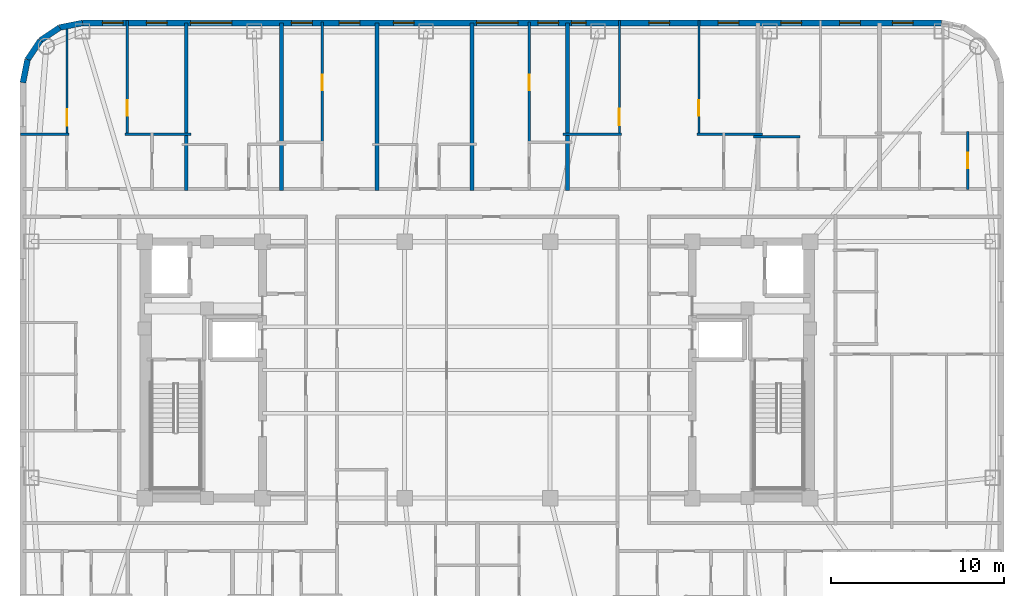
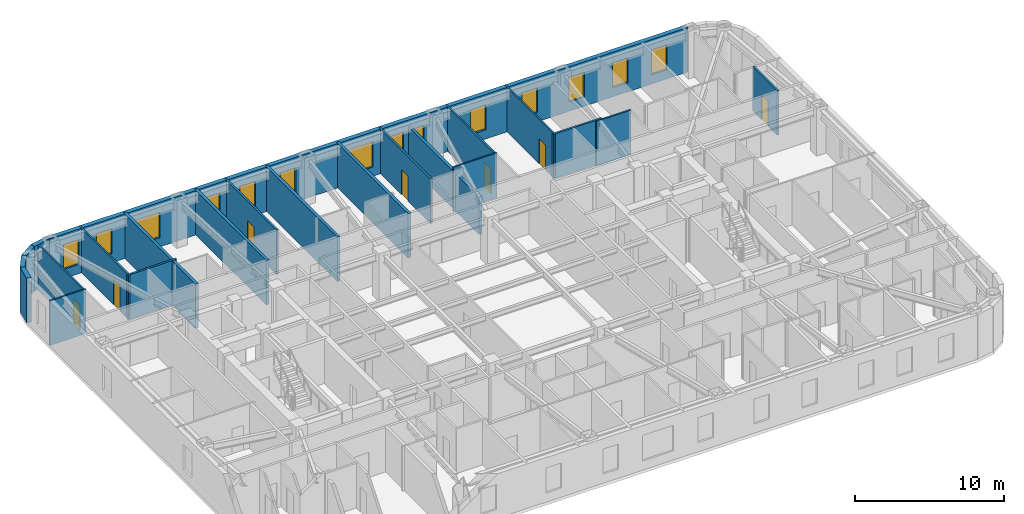
# One storey, part 8 of 11: 22 walls, 14 windows, 7 doors, 21 openings.
"""IFC4 building model written with IfcOpenShell, lengths in metres."""

import ifcopenshell
import ifcopenshell.guid

model = None  # the IFC model being written
_history = None  # IfcOwnerHistory: only IFC2X3 demands one
_inside = {}  # id of a spatial element -> (the spatial element, [elements in it])
_under = {}  # id of a project, library or spatial element -> (it, [spatial elements below it])
_declared = {}  # id of a project -> (the project, [libraries it declares])
_typed = {}  # id of a type object -> (the type object, [elements of that type])
_made_of = {}  # id of a material, layer set ... -> (it, [elements and type objects made of it])


def new_model(schema):
    """Start an empty IFC model of exactly this schema.

    Asked for "IFC4X3", IfcOpenShell would pick the latest addendum, in which some entities
    have other attributes; the version numbers below select the first issue.
    IFC2X3 requires an IfcOwnerHistory on every rooted entity: one is made here for all.
    """
    global model, _history
    if schema == "IFC4X3":
        model = ifcopenshell.file(schema_version=(4, 3, 0, 0))
    else:
        model = ifcopenshell.file(schema=schema)
    _inside.clear()
    _under.clear()
    _declared.clear()
    _typed.clear()
    _made_of.clear()
    _history = None
    if model.schema == "IFC2X3":
        org = make("IfcOrganization", Name="unknown")
        user = make(
            "IfcPersonAndOrganization",
            ThePerson=make("IfcPerson", FamilyName="unknown"),
            TheOrganization=org,
        )
        app = make(
            "IfcApplication",
            ApplicationDeveloper=org,
            Version="unknown",
            ApplicationFullName="unknown",
            ApplicationIdentifier="unknown",
        )
        _history = make(
            "IfcOwnerHistory",
            OwningUser=user,
            OwningApplication=app,
            ChangeAction="ADDED",
            CreationDate=0,
        )
    return model


def make(cls, **values):
    """One entity of the class cls with the attributes given. An attribute that is None is left unset."""
    return model.create_entity(
        cls, **{name: value for name, value in values.items() if value is not None}
    )


def rooted(cls, **values):
    """An entity with a GlobalId (a new one), such as an element, a storey or a relation."""
    return make(cls, GlobalId=ifcopenshell.guid.new(), OwnerHistory=_history, **values)


def si_unit(unit_type, name, prefix=None):
    """IfcSIUnit, for example si_unit("LENGTHUNIT", "METRE", prefix="MILLI")."""
    return make("IfcSIUnit", UnitType=unit_type, Prefix=prefix, Name=name)


def assignment(units):
    """IfcUnitAssignment: the units of a project."""
    return None if units is None else make("IfcUnitAssignment", Units=units)


def point(xyz):
    """IfcCartesianPoint."""
    return None if xyz is None else make("IfcCartesianPoint", Coordinates=xyz)


def direction(xyz):
    """IfcDirection."""
    return None if xyz is None else make("IfcDirection", DirectionRatios=xyz)


def frame(location, z_axis=None, x_axis=None):
    """IfcAxis2Placement3D, a coordinate frame: its origin and axes. An axis left out is left unset."""
    return make(
        "IfcAxis2Placement3D",
        Location=point(location),
        Axis=direction(z_axis),
        RefDirection=direction(x_axis),
    )


def frame_2d(location, x_axis=None):
    """IfcAxis2Placement2D, a coordinate frame in the plane: its origin and x axis."""
    return make(
        "IfcAxis2Placement2D", Location=point(location), RefDirection=direction(x_axis)
    )


def origin():
    """The frame at (0, 0, 0) with its axes left unset."""
    return frame((0.0, 0.0, 0.0))


def place(relative_to, where):
    """IfcLocalPlacement: puts the frame where relative to a parent placement (None: the world)."""
    return make(
        "IfcLocalPlacement", PlacementRelTo=relative_to, RelativePlacement=where
    )


def context(
    kind, dimensions, precision=None, world=None, true_north=None, identifier=None
):
    """IfcGeometricRepresentationContext, for example the 3D "Model" context."""
    return make(
        "IfcGeometricRepresentationContext",
        ContextIdentifier=identifier,
        ContextType=kind,
        CoordinateSpaceDimension=dimensions,
        Precision=precision,
        WorldCoordinateSystem=world,
        TrueNorth=true_north,
    )


def subcontext(parent, identifier, kind, view, scale=None):
    """IfcGeometricRepresentationSubContext, for example "Body" below "Model"."""
    return make(
        "IfcGeometricRepresentationSubContext",
        ContextIdentifier=identifier,
        ContextType=kind,
        ParentContext=parent,
        TargetScale=scale,
        TargetView=view,
    )


def project(units=None, contexts=None):
    """IfcProject with its units and contexts."""
    return rooted(
        "IfcProject",
        Name="project",
        RepresentationContexts=contexts,
        UnitsInContext=assignment(units),
    )


def spatial(cls, under=None, at=None, **own):
    """A site, building, storey or space (cls), placed at a placement, below another one or the project."""
    s = rooted(cls, ObjectPlacement=at, **own)
    if under is not None:
        _under.setdefault(under.id(), (under, []))[1].append(s)
    return s


def profile(cls, at=None, kind="AREA", **sizes):
    """A parametric profile (cls). Its sizes go by their IFC names, for example OverallWidth=200.0."""
    return make(cls, ProfileType=kind, Position=at, **sizes)


def rectangle(**sizes):
    """IfcRectangleProfileDef."""
    return profile("IfcRectangleProfileDef", **sizes)


def extrude(swept, where, along, depth):
    """IfcExtrudedAreaSolid: the profile swept, set in the frame where, extruded along a direction by depth."""
    return make(
        "IfcExtrudedAreaSolid",
        SweptArea=swept,
        Position=where,
        ExtrudedDirection=direction(along),
        Depth=depth,
    )


def shape(context_of_items, identifier, shape_type, items):
    """IfcShapeRepresentation: the items that make up one representation, for example the "Body"."""
    return make(
        "IfcShapeRepresentation",
        ContextOfItems=context_of_items,
        RepresentationIdentifier=identifier,
        RepresentationType=shape_type,
        Items=items,
    )


def material(Name=None, Category=None):
    """IfcMaterial."""
    return make("IfcMaterial", Name=Name, Category=Category)


def layer(
    of_material, thickness, ventilated=None, Name=None, Category=None, Priority=None
):
    """IfcMaterialLayer: one layer of a wall or slab, of a material (None: an air gap)."""
    return make(
        "IfcMaterialLayer",
        Material=of_material,
        LayerThickness=thickness,
        IsVentilated=ventilated,
        Name=Name,
        Category=Category,
        Priority=Priority,
    )


def layer_set(layers, Name=None):
    """IfcMaterialLayerSet."""
    return make("IfcMaterialLayerSet", MaterialLayers=layers, LayerSetName=Name)


def made_of(thing, what):
    """Note that an element or type object is made of a material, layer set ...; save() writes the relation."""
    if what is not None:
        _made_of.setdefault(what.id(), (what, []))[1].append(thing)
    return thing


def type_object(cls, material=None, **own):
    """A type object (cls), such as IfcWallType, which elements share."""
    return made_of(rooted(cls, **own), material)


def element(
    cls,
    number,
    at=None,
    inside=None,
    cuts=None,
    type_object=None,
    material=None,
    context=None,
    identifier="Body",
    shape_type=None,
    held_by="IfcProductDefinitionShape",
    body=None,
    shapes=None,
    **own,
):
    """One element of the class cls, such as IfcWall. Its Tag is "e" and its number.

    at: its placement. inside: the storey or other place that contains it. cuts: it is an
    opening in that element (IfcRelVoidsElement). A single representation is given by context,
    identifier, shape_type and body (its items); several are given by shapes. held_by: the class
    of the entity that holds the representations. save() writes the other relations.
    """
    e = rooted(cls, Tag="e%d" % number, ObjectPlacement=at, **own)
    if body is not None:
        shapes = [shape(context, identifier, shape_type, body)]
    if shapes is not None:
        e.Representation = make(held_by, Representations=shapes)
    if inside is not None:
        _inside.setdefault(inside.id(), (inside, []))[1].append(e)
    if cuts is not None:
        rooted(
            "IfcRelVoidsElement", RelatingBuildingElement=cuts, RelatedOpeningElement=e
        )
    if type_object is not None:
        _typed.setdefault(type_object.id(), (type_object, []))[1].append(e)
    return made_of(e, material)


def fill(opening, filler):
    """IfcRelFillsElement: the door or window that sits in an opening."""
    return rooted(
        "IfcRelFillsElement",
        RelatingOpeningElement=opening,
        RelatedBuildingElement=filler,
    )


def aggregate(whole, parts):
    """IfcRelAggregates: a whole, such as a stair, and the parts it consists of."""
    return rooted("IfcRelAggregates", RelatingObject=whole, RelatedObjects=parts)


def save(model, path):
    """Write the relations noted so far, then the file.

    IfcRelAggregates (storeys below a building ...), IfcRelContainedInSpatialStructure (elements
    in a storey), IfcRelDefinesByType, IfcRelAssociatesMaterial and IfcRelDeclares: one each for
    every whole, place, type object, material and project.
    """
    for whole, parts in _under.values():
        aggregate(whole, parts)
    for where, things in _inside.values():
        rooted(
            "IfcRelContainedInSpatialStructure",
            RelatedElements=things,
            RelatingStructure=where,
        )
    for kind, things in _typed.values():
        rooted("IfcRelDefinesByType", RelatedObjects=things, RelatingType=kind)
    for what, things in _made_of.values():
        rooted("IfcRelAssociatesMaterial", RelatedObjects=things, RelatingMaterial=what)
    for by, libraries in _declared.values():
        rooted("IfcRelDeclares", RelatingContext=by, RelatedDefinitions=libraries)
    model.write(path)


model = new_model("IFC4")

# Units and contexts
model_context = context("Model", 3, precision=1e-05, world=origin(), true_north=direction((0.0, 1.0)))
body_context = subcontext(model_context, "Body", "Model", "MODEL_VIEW")
ifc_project = project(units=[si_unit("LENGTHUNIT", "METRE"), si_unit("AREAUNIT", "SQUARE_METRE"), si_unit("VOLUMEUNIT", "CUBIC_METRE"), si_unit("PLANEANGLEUNIT", "RADIAN"), si_unit("MASSUNIT", "GRAM", prefix="KILO")], contexts=[model_context])

# Site, building, storey
site_placement = place(None, origin())
site = spatial("IfcSite", under=ifc_project, at=site_placement, CompositionType="ELEMENT")
building_placement = place(site_placement, origin())
building = spatial("IfcBuilding", under=site, at=building_placement, Name="Voryun Gate Residences", CompositionType="ELEMENT")
storey_placement = place(building_placement, frame((0.0, 0.0, 239.199951171875)))
storey = spatial("IfcBuildingStorey", under=building, at=storey_placement, Name="L59", CompositionType="ELEMENT", Elevation=239.199951171875)

# Walls
ifc_material_1 = material(Name="Charcoal terracotta masonry", Category="masonry")
ifc_layer_1 = layer(ifc_material_1, 0.340087890625, Name="W_EXT_TERRACOTTA_340")
ifc_layer_set_1 = layer_set([ifc_layer_1], Name="Charcoal terracotta masonry")
wall_type_1 = type_object("IfcWallType", Name="W_EXT_TERRACOTTA_340", PredefinedType="ELEMENTEDWALL", material=ifc_layer_set_1)
wall_1_placement = place(storey_placement, frame((-26.22998046875, 16.583251953125, 0.0), z_axis=(0.0, 0.0, 1.0), x_axis=(0.195075878998, 0.980788153188, 0.0)))
element("IfcWall", 1, at=wall_1_placement, inside=storey, type_object=wall_type_1, Name="Exterior wall WEXT-L59-07", PredefinedType="ELEMENTEDWALL", context=body_context, shape_type="SweptSolid", body=[
    extrude(rectangle(XDim=1.354248046875, YDim=0.340087890625, at=frame_2d((0.67724609375, 0.0))), origin(), (0.0, 0.0, 1.0), 3.650146484375),
])
for number, where, z_axis, x_axis, name in (
    (2, (-25.9658203125, 17.911376953125, 0.0), (0.0, 0.0, 1.0), (0.555669034571, 0.831403586725, 0.0), "Exterior wall WEXT-L59-08"),
    (3, (-25.222900390625, 19.02294921875, 0.0), (0.0, 0.0, 1.0), (0.831403586725, 0.555669034571, 0.0), "Exterior wall WEXT-L59-09"),
):
    element("IfcWall", number, at=place(storey_placement, frame(where, z_axis=z_axis, x_axis=x_axis)), inside=storey, type_object=wall_type_1, Name=name, PredefinedType="ELEMENTEDWALL", context=body_context, shape_type="SweptSolid", body=[
        extrude(rectangle(XDim=1.3369140625, YDim=0.340087890625, at=frame_2d((0.66845703125, 0.0))), origin(), (0.0, 0.0, 1.0), 3.650146484375),
    ])
wall_2_placement = place(storey_placement, frame((-24.111328125, 19.765869140625, 0.0), z_axis=(0.0, 0.0, 1.0), x_axis=(0.980788153188, 0.195075878998, 0.0)))
element("IfcWall", 4, at=wall_2_placement, inside=storey, type_object=wall_type_1, Name="Exterior wall WEXT-L59-10", PredefinedType="ELEMENTEDWALL", context=body_context, shape_type="SweptSolid", body=[
    extrude(rectangle(XDim=1.354248046875, YDim=0.340087890625, at=frame_2d((0.67724609375, 0.0))), origin(), (0.0, 0.0, 1.0), 3.650146484375),
])

# Wall, openings, windows
wall_3_placement = place(storey_placement, frame((-22.783203125, 20.030029296875, 0.0), z_axis=(0.0, 0.0, 1.0), x_axis=(1.0, 0.0, 0.0)))
wall_3 = element("IfcWall", 5, at=wall_3_placement, inside=storey, type_object=wall_type_1, Name="Exterior wall WEXT-L59-11", PredefinedType="ELEMENTEDWALL", context=body_context, shape_type="SweptSolid", body=[
    extrude(rectangle(XDim=49.56640625, YDim=0.340087890625, at=frame_2d((24.783203125, 0.0))), origin(), (0.0, 0.0, 1.0), 3.650146484375),
])
opening_1_placement = place(wall_3_placement, frame((6.211181640625, 0.0, 0.75)))
opening_1 = element("IfcOpeningElement", 6, at=opening_1_placement, cuts=wall_3, Name="Opening WN2", PredefinedType="OPENING", context=body_context, shape_type="SweptSolid", body=[
    extrude(rectangle(XDim=2.39990234375, YDim=2.10009765625, at=frame_2d((1.199951171875, 1.050048828125))), frame((0.0, 0.179931640625, 0.0), z_axis=(0.0, -1.0, 0.0), x_axis=(1.0, 0.0, 0.0)), (0.0, 0.0, 1.0), 0.360107421875),
])
opening_2_placement = place(wall_3_placement, frame((22.7333984375, 0.0, 0.75)))
opening_2 = element("IfcOpeningElement", 7, at=opening_2_placement, cuts=wall_3, Name="Opening WN2", PredefinedType="OPENING", context=body_context, shape_type="SweptSolid", body=[
    extrude(rectangle(XDim=2.39990234375, YDim=2.10009765625, at=frame_2d((1.199951171875, 1.050048828125))), frame((0.0, 0.179931640625, 0.0), z_axis=(0.0, -1.0, 0.0), x_axis=(1.0, 0.0, 0.0)), (0.0, 0.0, 1.0), 0.360107421875),
])
opening_3_placement = place(wall_3_placement, frame((1.131591796875, 0.0, 0.75)))
opening_3 = element("IfcOpeningElement", 8, at=opening_3_placement, cuts=wall_3, Name="Opening WN6", PredefinedType="OPENING", context=body_context, shape_type="SweptSolid", body=[
    extrude(rectangle(XDim=1.199951171875, YDim=2.050048828125, at=frame_2d((0.60009765625, 1.02490234375))), frame((0.0, 0.179931640625, 0.0), z_axis=(0.0, -1.0, 0.0), x_axis=(1.0, 0.0, 0.0)), (0.0, 0.0, 1.0), 0.360107421875),
])
opening_4_placement = place(wall_3_placement, frame((3.67822265625, 0.0, 0.75)))
opening_4 = element("IfcOpeningElement", 9, at=opening_4_placement, cuts=wall_3, Name="Opening WN6", PredefinedType="OPENING", context=body_context, shape_type="SweptSolid", body=[
    extrude(rectangle(XDim=1.199951171875, YDim=2.050048828125, at=frame_2d((0.60009765625, 1.02490234375))), frame((0.0, 0.179931640625, 0.0), z_axis=(0.0, -1.0, 0.0), x_axis=(1.0, 0.0, 0.0)), (0.0, 0.0, 1.0), 0.360107421875),
])
opening_5_placement = place(wall_3_placement, frame((14.8037109375, 0.0, 0.75)))
opening_5 = element("IfcOpeningElement", 10, at=opening_5_placement, cuts=wall_3, Name="Opening WN6", PredefinedType="OPENING", context=body_context, shape_type="SweptSolid", body=[
    extrude(rectangle(XDim=1.199951171875, YDim=2.050048828125, at=frame_2d((0.60009765625, 1.02490234375))), frame((0.0, 0.179931640625, 0.0), z_axis=(0.0, -1.0, 0.0), x_axis=(1.0, 0.0, 0.0)), (0.0, 0.0, 1.0), 0.360107421875),
])
opening_6_placement = place(wall_3_placement, frame((12.0537109375, 0.0, 0.75)))
opening_6 = element("IfcOpeningElement", 11, at=opening_6_placement, cuts=wall_3, Name="Opening WN6", PredefinedType="OPENING", context=body_context, shape_type="SweptSolid", body=[
    extrude(rectangle(XDim=1.199951171875, YDim=2.050048828125, at=frame_2d((0.60009765625, 1.02490234375))), frame((0.0, 0.179931640625, 0.0), z_axis=(0.0, -1.0, 0.0), x_axis=(1.0, 0.0, 0.0)), (0.0, 0.0, 1.0), 0.360107421875),
])
opening_7_placement = place(wall_3_placement, frame((17.933349609375, 0.0, 0.75)))
opening_7 = element("IfcOpeningElement", 12, at=opening_7_placement, cuts=wall_3, Name="Opening WN6", PredefinedType="OPENING", context=body_context, shape_type="SweptSolid", body=[
    extrude(rectangle(XDim=1.199951171875, YDim=2.050048828125, at=frame_2d((0.60009765625, 1.02490234375))), frame((0.0, 0.179931640625, 0.0), z_axis=(0.0, -1.0, 0.0), x_axis=(1.0, 0.0, 0.0)), (0.0, 0.0, 1.0), 0.360107421875),
])
opening_8_placement = place(wall_3_placement, frame((26.2783203125, 0.0, 0.75)))
opening_8 = element("IfcOpeningElement", 13, at=opening_8_placement, cuts=wall_3, Name="Opening WN6", PredefinedType="OPENING", context=body_context, shape_type="SweptSolid", body=[
    extrude(rectangle(XDim=1.199951171875, YDim=2.050048828125, at=frame_2d((0.60009765625, 1.02490234375))), frame((0.0, 0.179931640625, 0.0), z_axis=(0.0, -1.0, 0.0), x_axis=(1.0, 0.0, 0.0)), (0.0, 0.0, 1.0), 0.360107421875),
])
opening_9_placement = place(wall_3_placement, frame((32.67724609375, 0.0, 0.75)))
opening_9 = element("IfcOpeningElement", 14, at=opening_9_placement, cuts=wall_3, Name="Opening WN6", PredefinedType="OPENING", context=body_context, shape_type="SweptSolid", body=[
    extrude(rectangle(XDim=1.199951171875, YDim=2.050048828125, at=frame_2d((0.60009765625, 1.02490234375))), frame((0.0, 0.179931640625, 0.0), z_axis=(0.0, -1.0, 0.0), x_axis=(1.0, 0.0, 0.0)), (0.0, 0.0, 1.0), 0.360107421875),
])
opening_10_placement = place(wall_3_placement, frame((28.21728515625, 0.0, 0.75)))
opening_10 = element("IfcOpeningElement", 15, at=opening_10_placement, cuts=wall_3, Name="Opening WN9", PredefinedType="OPENING", context=body_context, shape_type="SweptSolid", body=[
    extrude(rectangle(XDim=0.85009765625, YDim=2.050048828125, at=frame_2d((0.425048828125, 1.02490234375))), frame((0.0, 0.179931640625, 0.0), z_axis=(0.0, -1.0, 0.0), x_axis=(1.0, 0.0, 0.0)), (0.0, 0.0, 1.0), 0.360107421875),
])
opening_11_placement = place(wall_3_placement, frame((36.67822265625, 0.0, 0.75)))
opening_11 = element("IfcOpeningElement", 16, at=opening_11_placement, cuts=wall_3, Name="Opening WN6", PredefinedType="OPENING", context=body_context, shape_type="SweptSolid", body=[
    extrude(rectangle(XDim=1.199951171875, YDim=2.050048828125, at=frame_2d((0.60009765625, 1.02490234375))), frame((0.0, 0.179931640625, 0.0), z_axis=(0.0, -1.0, 0.0), x_axis=(1.0, 0.0, 0.0)), (0.0, 0.0, 1.0), 0.360107421875),
])
opening_12_placement = place(wall_3_placement, frame((40.307373046875, 0.0, 0.75)))
opening_12 = element("IfcOpeningElement", 17, at=opening_12_placement, cuts=wall_3, Name="Opening WN6", PredefinedType="OPENING", context=body_context, shape_type="SweptSolid", body=[
    extrude(rectangle(XDim=1.199951171875, YDim=2.050048828125, at=frame_2d((0.60009765625, 1.02490234375))), frame((0.0, 0.179931640625, 0.0), z_axis=(0.0, -1.0, 0.0), x_axis=(1.0, 0.0, 0.0)), (0.0, 0.0, 1.0), 0.360107421875),
])
opening_13_placement = place(wall_3_placement, frame((43.6962890625, 0.0, 0.75)))
opening_13 = element("IfcOpeningElement", 18, at=opening_13_placement, cuts=wall_3, Name="Opening WN6", PredefinedType="OPENING", context=body_context, shape_type="SweptSolid", body=[
    extrude(rectangle(XDim=1.199951171875, YDim=2.050048828125, at=frame_2d((0.60009765625, 1.02490234375))), frame((0.0, 0.179931640625, 0.0), z_axis=(0.0, -1.0, 0.0), x_axis=(1.0, 0.0, 0.0)), (0.0, 0.0, 1.0), 0.360107421875),
])
opening_14_placement = place(wall_3_placement, frame((46.739013671875, 0.0, 0.75)))
opening_14 = element("IfcOpeningElement", 19, at=opening_14_placement, cuts=wall_3, Name="Opening WN6", PredefinedType="OPENING", context=body_context, shape_type="SweptSolid", body=[
    extrude(rectangle(XDim=1.199951171875, YDim=2.050048828125, at=frame_2d((0.60009765625, 1.02490234375))), frame((0.0, 0.179931640625, 0.0), z_axis=(0.0, -1.0, 0.0), x_axis=(1.0, 0.0, 0.0)), (0.0, 0.0, 1.0), 0.360107421875),
])
ifc_material_2 = material(Name="Laminated low-E glass", Category="glass")
window_type_1 = type_object("IfcWindowType", Name="WN_POD_SLOT_1200", PartitioningType="SINGLE_PANEL", PredefinedType="WINDOW", material=ifc_material_2)
window_1_placement = place(opening_3_placement, origin())
window_1 = element("IfcWindow", 20, at=window_1_placement, inside=storey, type_object=window_type_1, Name="Window WN-L59-DWFIX-01", OverallHeight=2.050048828125, OverallWidth=1.199951171875, PartitioningType="SINGLE_PANEL", PredefinedType="WINDOW", context=body_context, shape_type="SweptSolid", body=[
    extrude(rectangle(XDim=1.199951171875, YDim=2.050048828125, at=frame_2d((0.60009765625, 1.02490234375))), frame((0.0, 0.030029296875, 0.0), z_axis=(0.0, -1.0, 0.0), x_axis=(1.0, 0.0, 0.0)), (0.0, 0.0, 1.0), 0.06005859375),
])
fill(opening_3, window_1)
window_2_placement = place(opening_4_placement, origin())
window_2 = element("IfcWindow", 21, at=window_2_placement, inside=storey, type_object=window_type_1, Name="Window WN-L59-DWFIX-03", OverallHeight=2.050048828125, OverallWidth=1.199951171875, PartitioningType="SINGLE_PANEL", PredefinedType="WINDOW", context=body_context, shape_type="SweptSolid", body=[
    extrude(rectangle(XDim=1.199951171875, YDim=2.050048828125, at=frame_2d((0.60009765625, 1.02490234375))), frame((0.0, 0.030029296875, 0.0), z_axis=(0.0, -1.0, 0.0), x_axis=(1.0, 0.0, 0.0)), (0.0, 0.0, 1.0), 0.06005859375),
])
fill(opening_4, window_2)
window_3_placement = place(opening_5_placement, origin())
window_3 = element("IfcWindow", 22, at=window_3_placement, inside=storey, type_object=window_type_1, Name="Window WN-L59-DWFIX-04", OverallHeight=2.050048828125, OverallWidth=1.199951171875, PartitioningType="SINGLE_PANEL", PredefinedType="WINDOW", context=body_context, shape_type="SweptSolid", body=[
    extrude(rectangle(XDim=1.199951171875, YDim=2.050048828125, at=frame_2d((0.60009765625, 1.02490234375))), frame((0.0, 0.030029296875, 0.0), z_axis=(0.0, -1.0, 0.0), x_axis=(1.0, 0.0, 0.0)), (0.0, 0.0, 1.0), 0.06005859375),
])
fill(opening_5, window_3)
window_4_placement = place(opening_6_placement, origin())
window_4 = element("IfcWindow", 23, at=window_4_placement, inside=storey, type_object=window_type_1, Name="Window WN-L59-DWFIX-05", OverallHeight=2.050048828125, OverallWidth=1.199951171875, PartitioningType="SINGLE_PANEL", PredefinedType="WINDOW", context=body_context, shape_type="SweptSolid", body=[
    extrude(rectangle(XDim=1.199951171875, YDim=2.050048828125, at=frame_2d((0.60009765625, 1.02490234375))), frame((0.0, 0.030029296875, 0.0), z_axis=(0.0, -1.0, 0.0), x_axis=(1.0, 0.0, 0.0)), (0.0, 0.0, 1.0), 0.06005859375),
])
fill(opening_6, window_4)
window_5_placement = place(opening_7_placement, origin())
window_5 = element("IfcWindow", 24, at=window_5_placement, inside=storey, type_object=window_type_1, Name="Window WN-L59-DWFIX-06", OverallHeight=2.050048828125, OverallWidth=1.199951171875, PartitioningType="SINGLE_PANEL", PredefinedType="WINDOW", context=body_context, shape_type="SweptSolid", body=[
    extrude(rectangle(XDim=1.199951171875, YDim=2.050048828125, at=frame_2d((0.60009765625, 1.02490234375))), frame((0.0, 0.030029296875, 0.0), z_axis=(0.0, -1.0, 0.0), x_axis=(1.0, 0.0, 0.0)), (0.0, 0.0, 1.0), 0.06005859375),
])
fill(opening_7, window_5)
window_6_placement = place(opening_8_placement, origin())
window_6 = element("IfcWindow", 25, at=window_6_placement, inside=storey, type_object=window_type_1, Name="Window WN-L59-DWFIX-07", OverallHeight=2.050048828125, OverallWidth=1.199951171875, PartitioningType="SINGLE_PANEL", PredefinedType="WINDOW", context=body_context, shape_type="SweptSolid", body=[
    extrude(rectangle(XDim=1.199951171875, YDim=2.050048828125, at=frame_2d((0.60009765625, 1.02490234375))), frame((0.0, 0.030029296875, 0.0), z_axis=(0.0, -1.0, 0.0), x_axis=(1.0, 0.0, 0.0)), (0.0, 0.0, 1.0), 0.06005859375),
])
fill(opening_8, window_6)
window_7_placement = place(opening_9_placement, origin())
window_7 = element("IfcWindow", 26, at=window_7_placement, inside=storey, type_object=window_type_1, Name="Window WN-L59-DWFIX-08", OverallHeight=2.050048828125, OverallWidth=1.199951171875, PartitioningType="SINGLE_PANEL", PredefinedType="WINDOW", context=body_context, shape_type="SweptSolid", body=[
    extrude(rectangle(XDim=1.199951171875, YDim=2.050048828125, at=frame_2d((0.60009765625, 1.02490234375))), frame((0.0, 0.030029296875, 0.0), z_axis=(0.0, -1.0, 0.0), x_axis=(1.0, 0.0, 0.0)), (0.0, 0.0, 1.0), 0.06005859375),
])
fill(opening_9, window_7)
window_8_placement = place(opening_11_placement, origin())
window_8 = element("IfcWindow", 27, at=window_8_placement, inside=storey, type_object=window_type_1, Name="Window WN-L59-DWFIX-10", OverallHeight=2.050048828125, OverallWidth=1.199951171875, PartitioningType="SINGLE_PANEL", PredefinedType="WINDOW", context=body_context, shape_type="SweptSolid", body=[
    extrude(rectangle(XDim=1.199951171875, YDim=2.050048828125, at=frame_2d((0.60009765625, 1.02490234375))), frame((0.0, 0.030029296875, 0.0), z_axis=(0.0, -1.0, 0.0), x_axis=(1.0, 0.0, 0.0)), (0.0, 0.0, 1.0), 0.06005859375),
])
fill(opening_11, window_8)
window_9_placement = place(opening_12_placement, origin())
window_9 = element("IfcWindow", 28, at=window_9_placement, inside=storey, type_object=window_type_1, Name="Window WN-L59-DWFIX-11", OverallHeight=2.050048828125, OverallWidth=1.199951171875, PartitioningType="SINGLE_PANEL", PredefinedType="WINDOW", context=body_context, shape_type="SweptSolid", body=[
    extrude(rectangle(XDim=1.199951171875, YDim=2.050048828125, at=frame_2d((0.60009765625, 1.02490234375))), frame((0.0, 0.030029296875, 0.0), z_axis=(0.0, -1.0, 0.0), x_axis=(1.0, 0.0, 0.0)), (0.0, 0.0, 1.0), 0.06005859375),
])
fill(opening_12, window_9)
window_10_placement = place(opening_13_placement, origin())
window_10 = element("IfcWindow", 29, at=window_10_placement, inside=storey, type_object=window_type_1, Name="Window WN-L59-DWFIX-12", OverallHeight=2.050048828125, OverallWidth=1.199951171875, PartitioningType="SINGLE_PANEL", PredefinedType="WINDOW", context=body_context, shape_type="SweptSolid", body=[
    extrude(rectangle(XDim=1.199951171875, YDim=2.050048828125, at=frame_2d((0.60009765625, 1.02490234375))), frame((0.0, 0.030029296875, 0.0), z_axis=(0.0, -1.0, 0.0), x_axis=(1.0, 0.0, 0.0)), (0.0, 0.0, 1.0), 0.06005859375),
])
fill(opening_13, window_10)
window_11_placement = place(opening_14_placement, origin())
window_11 = element("IfcWindow", 30, at=window_11_placement, inside=storey, type_object=window_type_1, Name="Window WN-L59-DWFIX-13", OverallHeight=2.050048828125, OverallWidth=1.199951171875, PartitioningType="SINGLE_PANEL", PredefinedType="WINDOW", context=body_context, shape_type="SweptSolid", body=[
    extrude(rectangle(XDim=1.199951171875, YDim=2.050048828125, at=frame_2d((0.60009765625, 1.02490234375))), frame((0.0, 0.030029296875, 0.0), z_axis=(0.0, -1.0, 0.0), x_axis=(1.0, 0.0, 0.0)), (0.0, 0.0, 1.0), 0.06005859375),
])
fill(opening_14, window_11)
ifc_material_3 = material(Name="Laminated low-E glass", Category="glass")
window_type_2 = type_object("IfcWindowType", Name="WN_RES_CASEMENT_850", PartitioningType="SINGLE_PANEL", PredefinedType="WINDOW", material=ifc_material_3)
window_12_placement = place(opening_10_placement, origin())
window_12 = element("IfcWindow", 31, at=window_12_placement, inside=storey, type_object=window_type_2, Name="Window WN-L59-DWFIX-09", OverallHeight=2.050048828125, OverallWidth=0.85009765625, PartitioningType="SINGLE_PANEL", PredefinedType="WINDOW", context=body_context, shape_type="SweptSolid", body=[
    extrude(rectangle(XDim=0.85009765625, YDim=2.050048828125, at=frame_2d((0.425048828125, 1.02490234375))), frame((0.0, 0.030029296875, 0.0), z_axis=(0.0, -1.0, 0.0), x_axis=(1.0, 0.0, 0.0)), (0.0, 0.0, 1.0), 0.06005859375),
])
fill(opening_10, window_12)
ifc_material_4 = material(Name="Laminated low-E glass", Category="glass")
window_type_3 = type_object("IfcWindowType", Name="WN_RES_WIDE_2400", PartitioningType="SINGLE_PANEL", PredefinedType="WINDOW", material=ifc_material_4)
window_13_placement = place(opening_1_placement, origin())
window_13 = element("IfcWindow", 32, at=window_13_placement, inside=storey, type_object=window_type_3, Name="Window WN-WEXT-L59-11-01", OverallHeight=2.10009765625, OverallWidth=2.39990234375, PartitioningType="SINGLE_PANEL", PredefinedType="WINDOW", context=body_context, shape_type="SweptSolid", body=[
    extrude(rectangle(XDim=2.39990234375, YDim=2.10009765625, at=frame_2d((1.199951171875, 1.050048828125))), frame((0.0, 0.030029296875, 0.0), z_axis=(0.0, -1.0, 0.0), x_axis=(1.0, 0.0, 0.0)), (0.0, 0.0, 1.0), 0.06005859375),
])
fill(opening_1, window_13)
window_14_placement = place(opening_2_placement, origin())
window_14 = element("IfcWindow", 33, at=window_14_placement, inside=storey, type_object=window_type_3, Name="Window WN-WEXT-L59-11-02", OverallHeight=2.10009765625, OverallWidth=2.39990234375, PartitioningType="SINGLE_PANEL", PredefinedType="WINDOW", context=body_context, shape_type="SweptSolid", body=[
    extrude(rectangle(XDim=2.39990234375, YDim=2.10009765625, at=frame_2d((1.199951171875, 1.050048828125))), frame((0.0, 0.030029296875, 0.0), z_axis=(0.0, -1.0, 0.0), x_axis=(1.0, 0.0, 0.0)), (0.0, 0.0, 1.0), 0.06005859375),
])
fill(opening_2, window_14)

# Walls
ifc_material_5 = material(Name="Concrete C40/50", Category="concrete")
ifc_layer_2 = layer(ifc_material_5, 0.219970703125, Name="W_PARTY_ACOUSTIC_220")
ifc_layer_set_2 = layer_set([ifc_layer_2], Name="Concrete C40/50")
wall_type_2 = type_object("IfcWallType", Name="W_PARTY_ACOUSTIC_220", PredefinedType="PARTITIONING", material=ifc_layer_set_2)
for number, where, z_axis, x_axis, name in (
    (34, (-16.800048828125, 10.3701171875, 0.0), (0.0, 0.0, 1.0), (0.0, 1.0, 0.0), "Partition wall WP-L59-NPTY-1"),
    (35, (-11.300048828125, 10.3701171875, 0.0), (0.0, 0.0, 1.0), (0.0, 1.0, 0.0), "Partition wall WP-L59-NPTY-2"),
    (36, (-5.800048828125, 10.3701171875, 0.0), (0.0, 0.0, 1.0), (0.0, 1.0, 0.0), "Partition wall WP-L59-NPTY-3"),
    (37, (-0.300048828125, 10.3701171875, 0.0), (0.0, 0.0, 1.0), (0.0, 1.0, 0.0), "Partition wall WP-L59-NPTY-4"),
):
    element("IfcWall", number, at=place(storey_placement, frame(where, z_axis=z_axis, x_axis=x_axis)), inside=storey, type_object=wall_type_2, Name=name, PredefinedType="PARTITIONING", context=body_context, shape_type="SweptSolid", body=[
        extrude(rectangle(XDim=9.659912109375, YDim=0.219970703125, at=frame_2d((4.830078125, 0.0))), origin(), (0.0, 0.0, 1.0), 3.650146484375),
    ])
wall_4_placement = place(storey_placement, frame((5.199951171875, 10.3701171875, 0.0), z_axis=(0.0, 0.0, 1.0), x_axis=(0.0, 1.0, 0.0)))
element("IfcWall", 38, at=wall_4_placement, inside=storey, type_object=wall_type_2, Name="Partition wall WP-L59-NPTY-5", PredefinedType="PARTITIONING", context=body_context, shape_type="SweptSolid", body=[
    extrude(rectangle(XDim=9.659912109375, YDim=0.219970703125, at=frame_2d((4.830078125, 0.0))), origin(), (0.0, 0.0, 1.0), 3.090087890625),
])

# Wall, opening, door
ifc_material_6 = material(Name="Gypsum acoustic partition")
ifc_layer_3 = layer(ifc_material_6, 0.125, Name="W_UNIT_PART_125")
ifc_layer_set_3 = layer_set([ifc_layer_3], Name="Gypsum acoustic partition")
wall_type_3 = type_object("IfcWallType", Name="W_UNIT_PART_125", PredefinedType="PARTITIONING", material=ifc_layer_set_3)
wall_5_placement = place(storey_placement, frame((-23.68701171875, 13.54052734375, 0.0), z_axis=(0.0, 0.0, 1.0), x_axis=(0.0, 1.0, 0.0)))
wall_5 = element("IfcWall", 39, at=wall_5_placement, inside=storey, type_object=wall_type_3, Name="Partition wall WP-L59-N1-OVL", PredefinedType="PARTITIONING", context=body_context, shape_type="SweptSolid", body=[
    extrude(rectangle(XDim=6.462646484375, YDim=0.125, at=frame_2d((3.2314453125, 0.0))), origin(), (0.0, 0.0, 1.0), 3.650146484375),
])
opening_15_placement = place(wall_5_placement, frame((0.544189453125, 0.0, 0.0)))
opening_15 = element("IfcOpeningElement", 40, at=opening_15_placement, cuts=wall_5, Name="Opening D-INT-1", PredefinedType="OPENING", context=body_context, shape_type="SweptSolid", body=[
    extrude(rectangle(XDim=0.949951171875, YDim=2.050048828125, at=frame_2d((0.47509765625, 1.02490234375))), frame((0.0, 0.072509765625, 0.0), z_axis=(0.0, -1.0, 0.0), x_axis=(1.0, 0.0, 0.0)), (0.0, 0.0, 1.0), 0.14501953125),
])
ifc_material_7 = material(Name="Architectural oak veneer")
door_type_1 = type_object("IfcDoorType", Name="DR_INT_ROOM_950", OperationType="NOTDEFINED", PredefinedType="DOOR", material=ifc_material_7)
door_1_placement = place(opening_15_placement, origin())
door_1 = element("IfcDoor", 41, at=door_1_placement, inside=storey, type_object=door_type_1, Name="Door DR-L59-N1-DB2", OperationType="SINGLE_SWING_LEFT", OverallHeight=2.050048828125, OverallWidth=0.949951171875, PredefinedType="DOOR", context=body_context, shape_type="SweptSolid", body=[
    extrude(rectangle(XDim=0.949951171875, YDim=2.050048828125, at=frame_2d((0.47509765625, 1.02490234375))), frame((0.0, 0.02490234375, 0.0), z_axis=(0.0, -1.0, 0.0), x_axis=(1.0, 0.0, 0.0)), (0.0, 0.0, 1.0), 0.050048828125),
])
fill(opening_15, door_1)

wall_6_placement = place(storey_placement, frame((-20.2099609375, 13.52294921875, 0.0), z_axis=(0.0, 0.0, 1.0), x_axis=(0.0, 1.0, 0.0)))
wall_6 = element("IfcWall", 42, at=wall_6_placement, inside=storey, type_object=wall_type_3, Name="Partition wall WP-L59-N1-OVR", PredefinedType="PARTITIONING", context=body_context, shape_type="SweptSolid", body=[
    extrude(rectangle(XDim=6.656982421875, YDim=0.125, at=frame_2d((3.32861328125, 0.0))), origin(), (0.0, 0.0, 1.0), 3.650146484375),
])
opening_16_placement = place(wall_6_placement, frame((1.147705078125, 0.0, 0.0)))
opening_16 = element("IfcOpeningElement", 43, at=opening_16_placement, cuts=wall_6, Name="Opening D-INT-2", PredefinedType="OPENING", context=body_context, shape_type="SweptSolid", body=[
    extrude(rectangle(XDim=0.89990234375, YDim=2.050048828125, at=frame_2d((0.449951171875, 1.02490234375))), frame((0.0, 0.072509765625, 0.0), z_axis=(0.0, -1.0, 0.0), x_axis=(1.0, 0.0, 0.0)), (0.0, 0.0, 1.0), 0.14501953125),
])
ifc_material_8 = material(Name="Architectural oak veneer")
door_type_2 = type_object("IfcDoorType", Name="DR_INT_BATH_900", OperationType="NOTDEFINED", PredefinedType="DOOR", material=ifc_material_8)
door_2_placement = place(opening_16_placement, origin())
door_2 = element("IfcDoor", 44, at=door_2_placement, inside=storey, type_object=door_type_2, Name="Door DR-L59-N1-DMB", OperationType="SINGLE_SWING_RIGHT", OverallHeight=2.050048828125, OverallWidth=0.89990234375, PredefinedType="DOOR", context=body_context, shape_type="SweptSolid", body=[
    extrude(rectangle(XDim=0.89990234375, YDim=2.050048828125, at=frame_2d((0.449951171875, 1.02490234375))), frame((0.0, 0.02490234375, 0.0), z_axis=(0.0, -1.0, 0.0), x_axis=(1.0, 0.0, 0.0)), (0.0, 0.0, 1.0), 0.050048828125),
])
fill(opening_16, door_2)

# Wall
wall_7_placement = place(storey_placement, frame((-26.3798828125, 13.60302734375, 0.0), z_axis=(0.0, 0.0, 1.0), x_axis=(1.0, 0.0, 0.0)))
element("IfcWall", 45, at=wall_7_placement, inside=storey, type_object=wall_type_3, Name="Partition wall WP-L59-N1-HZK", PredefinedType="PARTITIONING", context=body_context, shape_type="SweptSolid", body=[
    extrude(rectangle(XDim=2.81298828125, YDim=0.125, at=frame_2d((1.406494140625, 0.0))), origin(), (0.0, 0.0, 1.0), 3.650146484375),
])

# Wall, opening, door
wall_8_placement = place(storey_placement, frame((8.197998046875, 13.54052734375, 0.0), z_axis=(0.0, 0.0, 1.0), x_axis=(0.0, 1.0, 0.0)))
wall_8 = element("IfcWall", 46, at=wall_8_placement, inside=storey, type_object=wall_type_3, Name="Partition wall WP-L59-N6-OVL", PredefinedType="PARTITIONING", context=body_context, shape_type="SweptSolid", body=[
    extrude(rectangle(XDim=6.639404296875, YDim=0.125, at=frame_2d((3.31982421875, 0.0))), origin(), (0.0, 0.0, 1.0), 3.650146484375),
])
opening_17_placement = place(wall_8_placement, frame((0.572509765625, 0.0, 0.0)))
opening_17 = element("IfcOpeningElement", 47, at=opening_17_placement, cuts=wall_8, Name="Opening D-INT-1", PredefinedType="OPENING", context=body_context, shape_type="SweptSolid", body=[
    extrude(rectangle(XDim=0.949951171875, YDim=2.050048828125, at=frame_2d((0.47509765625, 1.02490234375))), frame((0.0, 0.072509765625, 0.0), z_axis=(0.0, -1.0, 0.0), x_axis=(1.0, 0.0, 0.0)), (0.0, 0.0, 1.0), 0.14501953125),
])
door_3_placement = place(opening_17_placement, origin())
door_3 = element("IfcDoor", 48, at=door_3_placement, inside=storey, type_object=door_type_1, Name="Door DR-L59-N6-DB2", OperationType="SINGLE_SWING_LEFT", OverallHeight=2.050048828125, OverallWidth=0.949951171875, PredefinedType="DOOR", context=body_context, shape_type="SweptSolid", body=[
    extrude(rectangle(XDim=0.949951171875, YDim=2.050048828125, at=frame_2d((0.47509765625, 1.02490234375))), frame((0.0, 0.02490234375, 0.0), z_axis=(0.0, -1.0, 0.0), x_axis=(1.0, 0.0, 0.0)), (0.0, 0.0, 1.0), 0.050048828125),
])
fill(opening_17, door_3)

wall_9_placement = place(storey_placement, frame((12.7900390625, 13.52294921875, 0.0), z_axis=(0.0, 0.0, 1.0), x_axis=(0.0, 1.0, 0.0)))
wall_9 = element("IfcWall", 49, at=wall_9_placement, inside=storey, type_object=wall_type_3, Name="Partition wall WP-L59-N6-OVR", PredefinedType="PARTITIONING", context=body_context, shape_type="SweptSolid", body=[
    extrude(rectangle(XDim=6.656982421875, YDim=0.125, at=frame_2d((3.32861328125, 0.0))), origin(), (0.0, 0.0, 1.0), 3.650146484375),
])
opening_18_placement = place(wall_9_placement, frame((1.147705078125, 0.0, 0.0)))
opening_18 = element("IfcOpeningElement", 50, at=opening_18_placement, cuts=wall_9, Name="Opening D-INT-2", PredefinedType="OPENING", context=body_context, shape_type="SweptSolid", body=[
    extrude(rectangle(XDim=0.89990234375, YDim=2.050048828125, at=frame_2d((0.449951171875, 1.02490234375))), frame((0.0, 0.072509765625, 0.0), z_axis=(0.0, -1.0, 0.0), x_axis=(1.0, 0.0, 0.0)), (0.0, 0.0, 1.0), 0.14501953125),
])
door_4_placement = place(opening_18_placement, origin())
door_4 = element("IfcDoor", 51, at=door_4_placement, inside=storey, type_object=door_type_2, Name="Door DR-L59-N6-DMB", OperationType="SINGLE_SWING_RIGHT", OverallHeight=2.050048828125, OverallWidth=0.89990234375, PredefinedType="DOOR", context=body_context, shape_type="SweptSolid", body=[
    extrude(rectangle(XDim=0.89990234375, YDim=2.050048828125, at=frame_2d((0.449951171875, 1.02490234375))), frame((0.0, 0.02490234375, 0.0), z_axis=(0.0, -1.0, 0.0), x_axis=(1.0, 0.0, 0.0)), (0.0, 0.0, 1.0), 0.050048828125),
])
fill(opening_18, door_4)

# Walls
wall_10_placement = place(storey_placement, frame((4.93994140625, 13.60302734375, 0.0), z_axis=(0.0, 0.0, 1.0), x_axis=(1.0, 0.0, 0.0)))
element("IfcWall", 52, at=wall_10_placement, inside=storey, type_object=wall_type_3, Name="Partition wall WP-L59-N6-HZK", PredefinedType="PARTITIONING", context=body_context, shape_type="SweptSolid", body=[
    extrude(rectangle(XDim=3.378173828125, YDim=0.125, at=frame_2d((1.68896484375, 0.0))), origin(), (0.0, 0.0, 1.0), 3.650146484375),
])
wall_11_placement = place(storey_placement, frame((15.93994140625, 13.4599609375, 0.0), z_axis=(0.0, 0.0, 1.0), x_axis=(1.0, 0.0, 0.0)))
element("IfcWall", 53, at=wall_11_placement, inside=storey, type_object=wall_type_3, Name="Partition wall WP-L59-N7-HZK", PredefinedType="PARTITIONING", context=body_context, shape_type="SweptSolid", body=[
    extrude(rectangle(XDim=2.68994140625, YDim=0.125, at=frame_2d((1.344970703125, 0.0))), origin(), (0.0, 0.0, 1.0), 3.650146484375),
])
ifc_material_9 = material(Name="Gypsum moisture-resistant partition")
ifc_layer_4 = layer(ifc_material_9, 0.14990234375, Name="W_WET_PLUMB_150")
ifc_layer_set_4 = layer_set([ifc_layer_4], Name="Gypsum moisture-resistant partition")
wall_type_4 = type_object("IfcWallType", Name="W_WET_PLUMB_150", PredefinedType="PLUMBINGWALL", material=ifc_layer_set_4)
wall_12_placement = place(storey_placement, frame((-20.330078125, 13.60302734375, 0.0), z_axis=(0.0, 0.0, 1.0), x_axis=(1.0, 0.0, 0.0)))
element("IfcWall", 54, at=wall_12_placement, inside=storey, type_object=wall_type_4, Name="Partition wall WP-L59-N1-HZB", PredefinedType="PLUMBINGWALL", context=body_context, shape_type="SweptSolid", body=[
    extrude(rectangle(XDim=3.7900390625, YDim=0.14990234375, at=frame_2d((1.89501953125, 0.0))), origin(), (0.0, 0.0, 1.0), 3.650146484375),
])

# Wall, opening, door
wall_13_placement = place(storey_placement, frame((-8.958984375, 13.110107421875, 0.0), z_axis=(0.0, 0.0, 1.0), x_axis=(0.0, 1.0, 0.0)))
wall_13 = element("IfcWall", 55, at=wall_13_placement, inside=storey, type_object=wall_type_4, Name="Partition wall WP-L59-N3-SVT2", PredefinedType="PLUMBINGWALL", context=body_context, shape_type="SweptSolid", body=[
    extrude(rectangle(XDim=6.966796875, YDim=0.14990234375, at=frame_2d((3.4833984375, 0.0))), origin(), (0.0, 0.0, 1.0), 3.650146484375),
])
opening_19_placement = place(wall_13_placement, frame((3.033447265625, 0.0, 0.0)))
opening_19 = element("IfcOpeningElement", 56, at=opening_19_placement, cuts=wall_13, Name="Opening D-INT-2", PredefinedType="OPENING", context=body_context, shape_type="SweptSolid", body=[
    extrude(rectangle(XDim=0.89990234375, YDim=2.050048828125, at=frame_2d((0.449951171875, 1.02490234375))), frame((0.0, 0.0849609375, 0.0), z_axis=(0.0, -1.0, 0.0), x_axis=(1.0, 0.0, 0.0)), (0.0, 0.0, 1.0), 0.169921875),
])
door_5_placement = place(opening_19_placement, origin())
door_5 = element("IfcDoor", 57, at=door_5_placement, inside=storey, type_object=door_type_2, Name="Door DR-L59-N3-DK", OperationType="SINGLE_SWING_RIGHT", OverallHeight=2.050048828125, OverallWidth=0.89990234375, PredefinedType="DOOR", context=body_context, shape_type="SweptSolid", body=[
    extrude(rectangle(XDim=0.89990234375, YDim=2.050048828125, at=frame_2d((0.449951171875, 1.02490234375))), frame((0.0, 0.02490234375, 0.0), z_axis=(0.0, -1.0, 0.0), x_axis=(1.0, 0.0, 0.0)), (0.0, 0.0, 1.0), 0.050048828125),
])
fill(opening_19, door_5)

wall_14_placement = place(storey_placement, frame((2.989990234375, 13.110107421875, 0.0), z_axis=(0.0, 0.0, 1.0), x_axis=(0.0, 1.0, 0.0)))
wall_14 = element("IfcWall", 58, at=wall_14_placement, inside=storey, type_object=wall_type_4, Name="Partition wall WP-L59-N5-SVT2", PredefinedType="PLUMBINGWALL", context=body_context, shape_type="SweptSolid", body=[
    extrude(rectangle(XDim=6.966796875, YDim=0.14990234375, at=frame_2d((3.4833984375, 0.0))), origin(), (0.0, 0.0, 1.0), 3.650146484375),
])
opening_20_placement = place(wall_14_placement, frame((3.033447265625, 0.0, 0.0)))
opening_20 = element("IfcOpeningElement", 59, at=opening_20_placement, cuts=wall_14, Name="Opening D-INT-2", PredefinedType="OPENING", context=body_context, shape_type="SweptSolid", body=[
    extrude(rectangle(XDim=0.89990234375, YDim=2.050048828125, at=frame_2d((0.449951171875, 1.02490234375))), frame((0.0, 0.0849609375, 0.0), z_axis=(0.0, -1.0, 0.0), x_axis=(1.0, 0.0, 0.0)), (0.0, 0.0, 1.0), 0.169921875),
])
door_6_placement = place(opening_20_placement, origin())
door_6 = element("IfcDoor", 60, at=door_6_placement, inside=storey, type_object=door_type_2, Name="Door DR-L59-N5-DK", OperationType="SINGLE_SWING_RIGHT", OverallHeight=2.050048828125, OverallWidth=0.89990234375, PredefinedType="DOOR", context=body_context, shape_type="SweptSolid", body=[
    extrude(rectangle(XDim=0.89990234375, YDim=2.050048828125, at=frame_2d((0.449951171875, 1.02490234375))), frame((0.0, 0.02490234375, 0.0), z_axis=(0.0, -1.0, 0.0), x_axis=(1.0, 0.0, 0.0)), (0.0, 0.0, 1.0), 0.050048828125),
])
fill(opening_20, door_6)

# Wall
wall_15_placement = place(storey_placement, frame((12.669921875, 13.60302734375, 0.0), z_axis=(0.0, 0.0, 1.0), x_axis=(1.0, 0.0, 0.0)))
element("IfcWall", 61, at=wall_15_placement, inside=storey, type_object=wall_type_4, Name="Partition wall WP-L59-N6-HZB", PredefinedType="PLUMBINGWALL", context=body_context, shape_type="SweptSolid", body=[
    extrude(rectangle(XDim=3.7900390625, YDim=0.14990234375, at=frame_2d((1.89501953125, 0.0))), origin(), (0.0, 0.0, 1.0), 3.650146484375),
])

# Wall, opening, door
wall_16_placement = place(storey_placement, frame((28.31689453125, 10.429931640625, 0.0), z_axis=(0.0, 0.0, 1.0), x_axis=(0.0, 1.0, 0.0)))
wall_16 = element("IfcWall", 62, at=wall_16_placement, inside=storey, type_object=wall_type_4, Name="Partition wall WP-L59-N8-IVB", PredefinedType="PLUMBINGWALL", context=body_context, shape_type="SweptSolid", body=[
    extrude(rectangle(XDim=3.320068359375, YDim=0.14990234375, at=frame_2d((1.66015625, 0.0))), origin(), (0.0, 0.0, 1.0), 3.650146484375),
])
opening_21_placement = place(wall_16_placement, frame((1.2099609375, 0.0, 0.0)))
opening_21 = element("IfcOpeningElement", 63, at=opening_21_placement, cuts=wall_16, Name="Opening D-INT-2", PredefinedType="OPENING", context=body_context, shape_type="SweptSolid", body=[
    extrude(rectangle(XDim=0.89990234375, YDim=2.050048828125, at=frame_2d((0.449951171875, 1.02490234375))), frame((0.0, 0.0849609375, 0.0), z_axis=(0.0, -1.0, 0.0), x_axis=(1.0, 0.0, 0.0)), (0.0, 0.0, 1.0), 0.169921875),
])
door_7_placement = place(opening_21_placement, origin())
door_7 = element("IfcDoor", 64, at=door_7_placement, inside=storey, type_object=door_type_2, Name="Door DR-L59-N8-DB", OperationType="SINGLE_SWING_RIGHT", OverallHeight=2.050048828125, OverallWidth=0.89990234375, PredefinedType="DOOR", context=body_context, shape_type="SweptSolid", body=[
    extrude(rectangle(XDim=0.89990234375, YDim=2.050048828125, at=frame_2d((0.449951171875, 1.02490234375))), frame((0.0, 0.02490234375, 0.0), z_axis=(0.0, -1.0, 0.0), x_axis=(1.0, 0.0, 0.0)), (0.0, 0.0, 1.0), 0.050048828125),
])
fill(opening_21, door_7)

save(model, "model.ifc")
